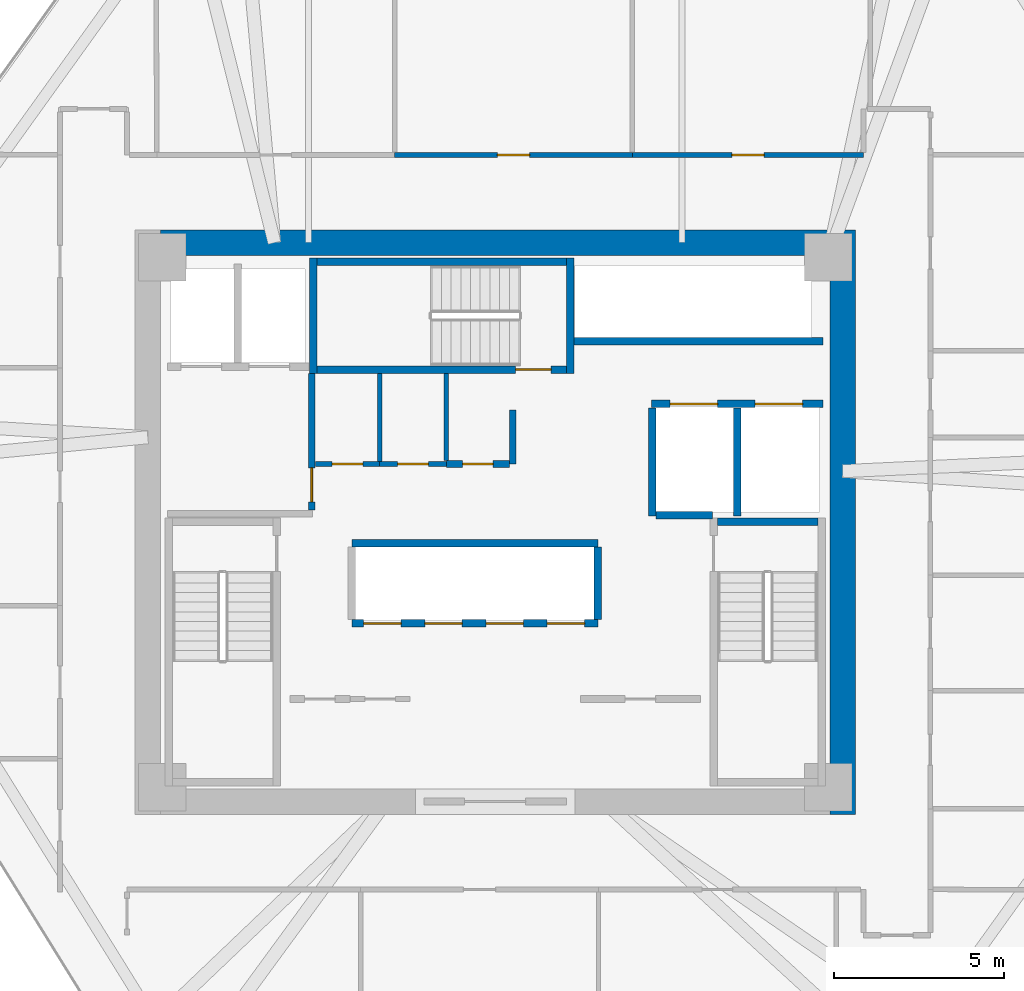
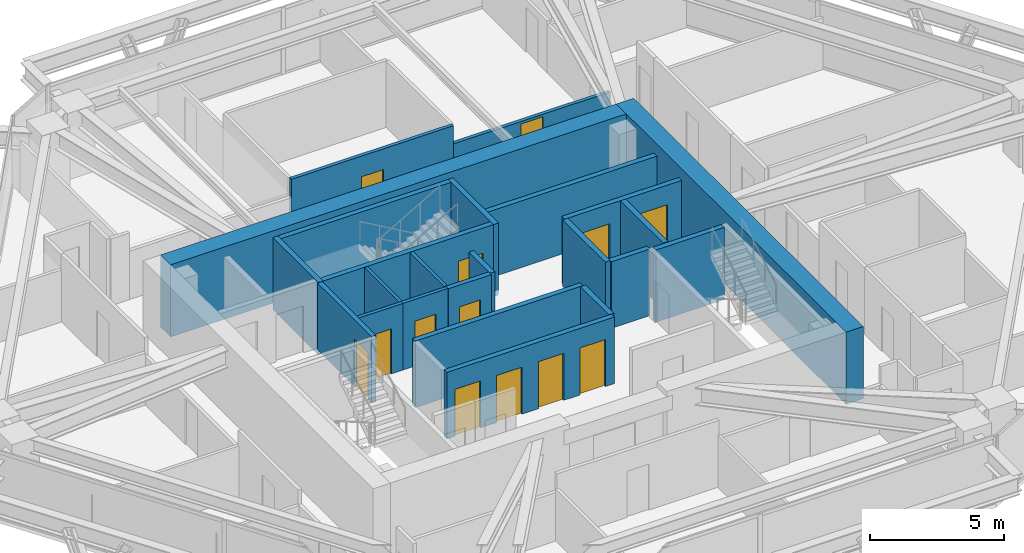
# One storey, part 11 of 14: 24 walls, 13 doors, 13 openings.
"""IFC4 building model written with IfcOpenShell, lengths in metres."""

import ifcopenshell
import ifcopenshell.guid

model = None  # the IFC model being written
_history = None  # IfcOwnerHistory: only IFC2X3 demands one
_inside = {}  # id of a spatial element -> (the spatial element, [elements in it])
_under = {}  # id of a project, library or spatial element -> (it, [spatial elements below it])
_declared = {}  # id of a project -> (the project, [libraries it declares])
_typed = {}  # id of a type object -> (the type object, [elements of that type])
_made_of = {}  # id of a material, layer set ... -> (it, [elements and type objects made of it])


def new_model(schema):
    """Start an empty IFC model of exactly this schema.

    Asked for "IFC4X3", IfcOpenShell would pick the latest addendum, in which some entities
    have other attributes; the version numbers below select the first issue.
    IFC2X3 requires an IfcOwnerHistory on every rooted entity: one is made here for all.
    """
    global model, _history
    if schema == "IFC4X3":
        model = ifcopenshell.file(schema_version=(4, 3, 0, 0))
    else:
        model = ifcopenshell.file(schema=schema)
    _inside.clear()
    _under.clear()
    _declared.clear()
    _typed.clear()
    _made_of.clear()
    _history = None
    if model.schema == "IFC2X3":
        org = make("IfcOrganization", Name="unknown")
        user = make(
            "IfcPersonAndOrganization",
            ThePerson=make("IfcPerson", FamilyName="unknown"),
            TheOrganization=org,
        )
        app = make(
            "IfcApplication",
            ApplicationDeveloper=org,
            Version="unknown",
            ApplicationFullName="unknown",
            ApplicationIdentifier="unknown",
        )
        _history = make(
            "IfcOwnerHistory",
            OwningUser=user,
            OwningApplication=app,
            ChangeAction="ADDED",
            CreationDate=0,
        )
    return model


def make(cls, **values):
    """One entity of the class cls with the attributes given. An attribute that is None is left unset."""
    return model.create_entity(
        cls, **{name: value for name, value in values.items() if value is not None}
    )


def rooted(cls, **values):
    """An entity with a GlobalId (a new one), such as an element, a storey or a relation."""
    return make(cls, GlobalId=ifcopenshell.guid.new(), OwnerHistory=_history, **values)


def si_unit(unit_type, name, prefix=None):
    """IfcSIUnit, for example si_unit("LENGTHUNIT", "METRE", prefix="MILLI")."""
    return make("IfcSIUnit", UnitType=unit_type, Prefix=prefix, Name=name)


def assignment(units):
    """IfcUnitAssignment: the units of a project."""
    return None if units is None else make("IfcUnitAssignment", Units=units)


def point(xyz):
    """IfcCartesianPoint."""
    return None if xyz is None else make("IfcCartesianPoint", Coordinates=xyz)


def direction(xyz):
    """IfcDirection."""
    return None if xyz is None else make("IfcDirection", DirectionRatios=xyz)


def frame(location, z_axis=None, x_axis=None):
    """IfcAxis2Placement3D, a coordinate frame: its origin and axes. An axis left out is left unset."""
    return make(
        "IfcAxis2Placement3D",
        Location=point(location),
        Axis=direction(z_axis),
        RefDirection=direction(x_axis),
    )


def frame_2d(location, x_axis=None):
    """IfcAxis2Placement2D, a coordinate frame in the plane: its origin and x axis."""
    return make(
        "IfcAxis2Placement2D", Location=point(location), RefDirection=direction(x_axis)
    )


def origin():
    """The frame at (0, 0, 0) with its axes left unset."""
    return frame((0.0, 0.0, 0.0))


def place(relative_to, where):
    """IfcLocalPlacement: puts the frame where relative to a parent placement (None: the world)."""
    return make(
        "IfcLocalPlacement", PlacementRelTo=relative_to, RelativePlacement=where
    )


def context(
    kind, dimensions, precision=None, world=None, true_north=None, identifier=None
):
    """IfcGeometricRepresentationContext, for example the 3D "Model" context."""
    return make(
        "IfcGeometricRepresentationContext",
        ContextIdentifier=identifier,
        ContextType=kind,
        CoordinateSpaceDimension=dimensions,
        Precision=precision,
        WorldCoordinateSystem=world,
        TrueNorth=true_north,
    )


def subcontext(parent, identifier, kind, view, scale=None):
    """IfcGeometricRepresentationSubContext, for example "Body" below "Model"."""
    return make(
        "IfcGeometricRepresentationSubContext",
        ContextIdentifier=identifier,
        ContextType=kind,
        ParentContext=parent,
        TargetScale=scale,
        TargetView=view,
    )


def project(units=None, contexts=None):
    """IfcProject with its units and contexts."""
    return rooted(
        "IfcProject",
        Name="project",
        RepresentationContexts=contexts,
        UnitsInContext=assignment(units),
    )


def spatial(cls, under=None, at=None, **own):
    """A site, building, storey or space (cls), placed at a placement, below another one or the project."""
    s = rooted(cls, ObjectPlacement=at, **own)
    if under is not None:
        _under.setdefault(under.id(), (under, []))[1].append(s)
    return s


def profile(cls, at=None, kind="AREA", **sizes):
    """A parametric profile (cls). Its sizes go by their IFC names, for example OverallWidth=200.0."""
    return make(cls, ProfileType=kind, Position=at, **sizes)


def rectangle(**sizes):
    """IfcRectangleProfileDef."""
    return profile("IfcRectangleProfileDef", **sizes)


def extrude(swept, where, along, depth):
    """IfcExtrudedAreaSolid: the profile swept, set in the frame where, extruded along a direction by depth."""
    return make(
        "IfcExtrudedAreaSolid",
        SweptArea=swept,
        Position=where,
        ExtrudedDirection=direction(along),
        Depth=depth,
    )


def shape(context_of_items, identifier, shape_type, items):
    """IfcShapeRepresentation: the items that make up one representation, for example the "Body"."""
    return make(
        "IfcShapeRepresentation",
        ContextOfItems=context_of_items,
        RepresentationIdentifier=identifier,
        RepresentationType=shape_type,
        Items=items,
    )


def source(mapping_origin, context_of_items, identifier, shape_type, items):
    """IfcRepresentationMap: a shape defined once, which mapped items show again and again."""
    return make(
        "IfcRepresentationMap",
        MappingOrigin=mapping_origin,
        MappedRepresentation=shape(context_of_items, identifier, shape_type, items),
    )


def transform(
    local_origin,
    x_axis=None,
    y_axis=None,
    z_axis=None,
    scale=None,
    scale2=None,
    scale3=None,
    uniform=True,
):
    """IfcCartesianTransformationOperator3D, or its non-uniform kind. x_axis, y_axis, z_axis: its Axis1, 2, 3."""
    if uniform:
        return make(
            "IfcCartesianTransformationOperator3D",
            Axis1=direction(x_axis),
            Axis2=direction(y_axis),
            LocalOrigin=point(local_origin),
            Scale=scale,
            Axis3=direction(z_axis),
        )
    return make(
        "IfcCartesianTransformationOperator3DnonUniform",
        Axis1=direction(x_axis),
        Axis2=direction(y_axis),
        LocalOrigin=point(local_origin),
        Scale=scale,
        Axis3=direction(z_axis),
        Scale2=scale2,
        Scale3=scale3,
    )


def mapped(mapping_source, mapping_target):
    """IfcMappedItem: shows the shape of a source again, moved by a transform."""
    return make(
        "IfcMappedItem", MappingSource=mapping_source, MappingTarget=mapping_target
    )


def material(Name=None, Category=None):
    """IfcMaterial."""
    return make("IfcMaterial", Name=Name, Category=Category)


def layer(
    of_material, thickness, ventilated=None, Name=None, Category=None, Priority=None
):
    """IfcMaterialLayer: one layer of a wall or slab, of a material (None: an air gap)."""
    return make(
        "IfcMaterialLayer",
        Material=of_material,
        LayerThickness=thickness,
        IsVentilated=ventilated,
        Name=Name,
        Category=Category,
        Priority=Priority,
    )


def layer_set(layers, Name=None):
    """IfcMaterialLayerSet."""
    return make("IfcMaterialLayerSet", MaterialLayers=layers, LayerSetName=Name)


def made_of(thing, what):
    """Note that an element or type object is made of a material, layer set ...; save() writes the relation."""
    if what is not None:
        _made_of.setdefault(what.id(), (what, []))[1].append(thing)
    return thing


def type_object(cls, material=None, **own):
    """A type object (cls), such as IfcWallType, which elements share."""
    return made_of(rooted(cls, **own), material)


def type_shapes(of_type, sources):
    """Give a type object the sources (RepresentationMaps) that its elements show as mapped items."""
    of_type.RepresentationMaps = sources


def element(
    cls,
    number,
    at=None,
    inside=None,
    cuts=None,
    type_object=None,
    material=None,
    context=None,
    identifier="Body",
    shape_type=None,
    held_by="IfcProductDefinitionShape",
    body=None,
    shapes=None,
    **own,
):
    """One element of the class cls, such as IfcWall. Its Tag is "e" and its number.

    at: its placement. inside: the storey or other place that contains it. cuts: it is an
    opening in that element (IfcRelVoidsElement). A single representation is given by context,
    identifier, shape_type and body (its items); several are given by shapes. held_by: the class
    of the entity that holds the representations. save() writes the other relations.
    """
    e = rooted(cls, Tag="e%d" % number, ObjectPlacement=at, **own)
    if body is not None:
        shapes = [shape(context, identifier, shape_type, body)]
    if shapes is not None:
        e.Representation = make(held_by, Representations=shapes)
    if inside is not None:
        _inside.setdefault(inside.id(), (inside, []))[1].append(e)
    if cuts is not None:
        rooted(
            "IfcRelVoidsElement", RelatingBuildingElement=cuts, RelatedOpeningElement=e
        )
    if type_object is not None:
        _typed.setdefault(type_object.id(), (type_object, []))[1].append(e)
    return made_of(e, material)


def fill(opening, filler):
    """IfcRelFillsElement: the door or window that sits in an opening."""
    return rooted(
        "IfcRelFillsElement",
        RelatingOpeningElement=opening,
        RelatedBuildingElement=filler,
    )


def aggregate(whole, parts):
    """IfcRelAggregates: a whole, such as a stair, and the parts it consists of."""
    return rooted("IfcRelAggregates", RelatingObject=whole, RelatedObjects=parts)


def save(model, path):
    """Write the relations noted so far, then the file.

    IfcRelAggregates (storeys below a building ...), IfcRelContainedInSpatialStructure (elements
    in a storey), IfcRelDefinesByType, IfcRelAssociatesMaterial and IfcRelDeclares: one each for
    every whole, place, type object, material and project.
    """
    for whole, parts in _under.values():
        aggregate(whole, parts)
    for where, things in _inside.values():
        rooted(
            "IfcRelContainedInSpatialStructure",
            RelatedElements=things,
            RelatingStructure=where,
        )
    for kind, things in _typed.values():
        rooted("IfcRelDefinesByType", RelatedObjects=things, RelatingType=kind)
    for what, things in _made_of.values():
        rooted("IfcRelAssociatesMaterial", RelatedObjects=things, RelatingMaterial=what)
    for by, libraries in _declared.values():
        rooted("IfcRelDeclares", RelatingContext=by, RelatedDefinitions=libraries)
    model.write(path)


model = new_model("IFC4")

# Units and contexts
model_context = context("Model", 3, precision=1e-05, world=origin(), true_north=direction((0.0, 1.0)))
body_context = subcontext(model_context, "Body", "Model", "MODEL_VIEW")
ifc_project = project(units=[si_unit("LENGTHUNIT", "METRE"), si_unit("AREAUNIT", "SQUARE_METRE"), si_unit("VOLUMEUNIT", "CUBIC_METRE"), si_unit("PLANEANGLEUNIT", "RADIAN"), si_unit("MASSUNIT", "GRAM", prefix="KILO")], contexts=[model_context])

# Site, building, storey
site_placement = place(None, origin())
site = spatial("IfcSite", under=ifc_project, at=site_placement, CompositionType="ELEMENT")
building_placement = place(site_placement, origin())
building = spatial("IfcBuilding", under=site, at=building_placement, Name="Durnholm Broadcast Tower", CompositionType="ELEMENT")
storey_placement = place(building_placement, frame((0.0, 0.0, 107.39990234375)))
storey = spatial("IfcBuildingStorey", under=building, at=storey_placement, Name="L28", CompositionType="ELEMENT", Elevation=107.39990234375)

# Walls
ifc_material_1 = material(Name="Concrete C70/85", Category="concrete")
ifc_layer_1 = layer(ifc_material_1, 0.75)
ifc_layer_set_1 = layer_set([ifc_layer_1], Name="Concrete C70/85")
wall_type_1 = type_object("IfcWallType", Name="WALL-CW-750", PredefinedType="SHEAR", material=ifc_layer_set_1)
wall_1_placement = place(storey_placement, frame((10.22509765625, -8.60009765625, 0.0), z_axis=(0.0, 0.0, 1.0), x_axis=(0.0, 1.0, 0.0)))
element("IfcWall", 1, at=wall_1_placement, inside=storey, type_object=wall_type_1, Name="L28 central core shear wall CW-EAST", PredefinedType="SHEAR", context=body_context, shape_type="SweptSolid", body=[
    extrude(rectangle(XDim=17.2001953125, YDim=0.75, at=frame_2d((8.60009765625, 0.0))), origin(), (0.0, 0.0, 1.0), 3.300048828125),
])
wall_2_placement = place(storey_placement, frame((-9.85009765625, 8.22509765625, 0.0), z_axis=(0.0, 0.0, 1.0), x_axis=(1.0, 0.0, 0.0)))
element("IfcWall", 2, at=wall_2_placement, inside=storey, type_object=wall_type_1, Name="L28 central core shear wall CW-N", PredefinedType="SHEAR", context=body_context, shape_type="SweptSolid", body=[
    extrude(rectangle(XDim=19.7001953125, YDim=0.75, at=frame_2d((9.85009765625, 0.0))), origin(), (0.0, 0.0, 1.0), 3.300048828125),
])

# Wall, opening, door
ifc_material_2 = material(Name="Fire-Rated Gypsum Shaftwall", Category="concrete")
ifc_layer_2 = layer(ifc_material_2, 0.199951171875)
ifc_layer_set_2 = layer_set([ifc_layer_2], Name="Fire-Rated Gypsum Shaftwall")
wall_type_2 = type_object("IfcWallType", Name="WALL-LOB-200", PredefinedType="SOLIDWALL", material=ifc_layer_set_2)
wall_3_placement = place(storey_placement, frame((-5.39990234375, 0.35400390625, 0.0), z_axis=(0.0, 0.0, 1.0), x_axis=(0.0, 1.0, 0.0)))
wall_3 = element("IfcWall", 3, at=wall_3_placement, inside=storey, type_object=wall_type_2, Name="L28 Fire Service Access Elevator lobby east fire wall", PredefinedType="SOLIDWALL", context=body_context, shape_type="SweptSolid", body=[
    extrude(rectangle(XDim=4.02587890625, YDim=0.199951171875, at=frame_2d((2.012939453125, 0.0))), origin(), (0.0, 0.0, 1.0), 3.045166015625),
])
opening_1_placement = place(wall_3_placement, frame((0.24609375, 0.0, 0.0)))
opening_1 = element("IfcOpeningElement", 4, at=opening_1_placement, cuts=wall_3, Name="Opening DL-60L", PredefinedType="OPENING", context=body_context, shape_type="SweptSolid", body=[
    extrude(rectangle(XDim=1.0, YDim=2.14990234375, at=frame_2d((0.5, 1.074951171875))), frame((0.0, 0.10986328125, 0.0), z_axis=(0.0, -1.0, 0.0), x_axis=(1.0, 0.0, 0.0)), (0.0, 0.0, 1.0), 0.219970703125),
])
ifc_material_3 = material(Name="Fire-Rated Timber/Steel Door", Category="steel")
ifc_layer_3 = layer(ifc_material_3, 0.050048828125)
ifc_layer_set_3 = layer_set([ifc_layer_3], Name="Fire-Rated Timber/Steel Door")
door_type_1 = type_object("IfcDoorType", Name="DOOR-LOB-FD60-L", OperationType="NOTDEFINED", PredefinedType="DOOR", material=ifc_layer_set_3)
shared_shape_1 = source(origin(), body_context, "Body", "SweptSolid", [
    extrude(rectangle(XDim=1.0, YDim=2.14990234375, at=frame_2d((0.5, 1.074951171875))), frame((0.0, 0.02490234375, 0.0), z_axis=(0.0, -1.0, 0.0), x_axis=(1.0, 0.0, 0.0)), (0.0, 0.0, 1.0), 0.050048828125),
])
type_shapes(door_type_1, [shared_shape_1])
door_1_placement = place(opening_1_placement, origin())
door_1 = element("IfcDoor", 5, at=door_1_placement, inside=storey, type_object=door_type_1, Name="L28 Fire Service Access Elevator lobby smoke door", OperationType="SINGLE_SWING_LEFT", OverallHeight=2.14990234375, OverallWidth=1.0, PredefinedType="DOOR", context=body_context, shape_type="MappedRepresentation", body=[
    mapped(shared_shape_1, transform((0.0, 0.0, 0.0), x_axis=(1.0, 0.0, 0.0), y_axis=(0.0, 1.0, 0.0), z_axis=(0.0, 0.0, 1.0), scale=1.0)),
])
fill(opening_1, door_1)

# Wall
wall_4_placement = place(storey_placement, frame((0.52001953125, 3.300048828125, 0.0), z_axis=(0.0, 0.0, 1.0), x_axis=(0.0, -1.0, 0.0)))
element("IfcWall", 6, at=wall_4_placement, inside=storey, type_object=wall_type_2, Name="L28 Core Telecom Patch Room corridor partition", PredefinedType="SOLIDWALL", context=body_context, shape_type="SweptSolid", body=[
    extrude(rectangle(XDim=1.590087890625, YDim=0.199951171875, at=frame_2d((0.794921875, 0.0))), origin(), (0.0, 0.0, 1.0), 3.045166015625),
])

# Wall, opening, door
wall_5_placement = place(storey_placement, frame((0.416015625, 1.7099609375, 0.0), z_axis=(0.0, 0.0, 1.0), x_axis=(-1.0, 0.0, 0.0)))
wall_5 = element("IfcWall", 7, at=wall_5_placement, inside=storey, type_object=wall_type_2, Name="L28 Core Telecom Patch Room corridor partition", PredefinedType="SOLIDWALL", context=body_context, shape_type="SweptSolid", body=[
    extrude(rectangle(XDim=1.85595703125, YDim=0.199951171875, at=frame_2d((0.927978515625, 0.0))), origin(), (0.0, 0.0, 1.0), 3.045166015625),
])
opening_2_placement = place(wall_5_placement, frame((0.47802734375, 0.0, 0.0)))
opening_2 = element("IfcOpeningElement", 8, at=opening_2_placement, cuts=wall_5, Name="Opening DC-60L", PredefinedType="OPENING", context=body_context, shape_type="SweptSolid", body=[
    extrude(rectangle(XDim=0.89990234375, YDim=2.050048828125, at=frame_2d((0.449951171875, 1.02490234375))), frame((0.0, 0.10986328125, 0.0), z_axis=(0.0, -1.0, 0.0), x_axis=(1.0, 0.0, 0.0)), (0.0, 0.0, 1.0), 0.219970703125),
])
ifc_material_4 = material(Name="Fire-Rated Core Service Door", Category="steel")
ifc_layer_4 = layer(ifc_material_4, 0.050048828125)
ifc_layer_set_4 = layer_set([ifc_layer_4], Name="Fire-Rated Core Service Door")
door_type_2 = type_object("IfcDoorType", Name="DOOR-CORE-FD60-L", OperationType="NOTDEFINED", PredefinedType="DOOR", material=ifc_layer_set_4)
shared_shape_2 = source(origin(), body_context, "Body", "SweptSolid", [
    extrude(rectangle(XDim=0.89990234375, YDim=2.050048828125, at=frame_2d((0.449951171875, 1.02490234375))), frame((0.0, 0.02490234375, 0.0), z_axis=(0.0, -1.0, 0.0), x_axis=(1.0, 0.0, 0.0)), (0.0, 0.0, 1.0), 0.050048828125),
])
type_shapes(door_type_2, [shared_shape_2])
door_2_placement = place(opening_2_placement, origin())
door_2 = element("IfcDoor", 9, at=door_2_placement, inside=storey, type_object=door_type_2, Name="L28 Core Telecom Patch Room entrance door", OperationType="SINGLE_SWING_LEFT", OverallHeight=2.050048828125, OverallWidth=0.89990234375, PredefinedType="DOOR", context=body_context, shape_type="MappedRepresentation", body=[
    mapped(shared_shape_2, transform((0.0, 0.0, 0.0), x_axis=(1.0, 0.0, 0.0), y_axis=(0.0, 1.0, 0.0), z_axis=(0.0, 0.0, 1.0), scale=1.0)),
])
fill(opening_2, door_2)

# Walls
ifc_material_5 = material(Name="Gypsum Metal Stud Partition", Category="concrete")
ifc_layer_5 = layer(ifc_material_5, 0.135009765625)
ifc_layer_set_5 = layer_set([ifc_layer_5], Name="Gypsum Metal Stud Partition")
wall_type_3 = type_object("IfcWallType", Name="WALL-PART-135", PredefinedType="PARTITIONING", material=ifc_layer_set_5)
wall_6_placement = place(storey_placement, frame((-3.39990234375, 4.375, 0.0), z_axis=(0.0, 0.0, 1.0), x_axis=(0.0, -1.0, 0.0)))
element("IfcWall", 10, at=wall_6_placement, inside=storey, type_object=wall_type_3, Name="L28 room dividing partition 4.5", PredefinedType="PARTITIONING", context=body_context, shape_type="SweptSolid", body=[
    extrude(rectangle(XDim=2.5859375, YDim=0.135009765625, at=frame_2d((1.29296875, 0.0))), origin(), (0.0, 0.0, 1.0), 3.045166015625),
])
wall_7_placement = place(storey_placement, frame((-1.43994140625, 4.375, 0.0), z_axis=(0.0, 0.0, 1.0), x_axis=(0.0, -1.0, 0.0)))
element("IfcWall", 11, at=wall_7_placement, inside=storey, type_object=wall_type_3, Name="L28 room dividing partition 5.6", PredefinedType="PARTITIONING", context=body_context, shape_type="SweptSolid", body=[
    extrude(rectangle(XDim=2.56103515625, YDim=0.135009765625, at=frame_2d((1.280517578125, 0.0))), origin(), (0.0, 0.0, 1.0), 3.045166015625),
])

# Wall, opening, door
ifc_material_6 = material(Name="Acoustic Gypsum Stud Partition", Category="concrete")
ifc_layer_6 = layer(ifc_material_6, 0.14990234375)
ifc_layer_set_6 = layer_set([ifc_layer_6], Name="Acoustic Gypsum Stud Partition")
wall_type_4 = type_object("IfcWallType", Name="WALL-PART-150", PredefinedType="PARTITIONING", material=ifc_layer_set_6)
wall_8_placement = place(storey_placement, frame((-3.39990234375, 1.7099609375, 0.0), z_axis=(0.0, 0.0, 1.0), x_axis=(-1.0, 0.0, 0.0)))
wall_8 = element("IfcWall", 12, at=wall_8_placement, inside=storey, type_object=wall_type_4, Name="L28 Core Copy and Print Closet corridor partition", PredefinedType="PARTITIONING", context=body_context, shape_type="SweptSolid", body=[
    extrude(rectangle(XDim=1.89599609375, YDim=0.14990234375, at=frame_2d((0.947998046875, 0.0))), origin(), (0.0, 0.0, 1.0), 3.045166015625),
])
opening_3_placement = place(wall_8_placement, frame((0.498046875, 0.0, 0.0)))
opening_3 = element("IfcOpeningElement", 13, at=opening_3_placement, cuts=wall_8, Name="Opening DC-60L", PredefinedType="OPENING", context=body_context, shape_type="SweptSolid", body=[
    extrude(rectangle(XDim=0.89990234375, YDim=2.050048828125, at=frame_2d((0.449951171875, 1.02490234375))), frame((0.0, 0.0849609375, 0.0), z_axis=(0.0, -1.0, 0.0), x_axis=(1.0, 0.0, 0.0)), (0.0, 0.0, 1.0), 0.169921875),
])
door_3_placement = place(opening_3_placement, origin())
door_3 = element("IfcDoor", 14, at=door_3_placement, inside=storey, type_object=door_type_2, Name="L28 Core Copy and Print Closet entrance door", OperationType="SINGLE_SWING_LEFT", OverallHeight=2.050048828125, OverallWidth=0.89990234375, PredefinedType="DOOR", context=body_context, shape_type="MappedRepresentation", body=[
    mapped(shared_shape_2, transform((0.0, 0.0, 0.0), x_axis=(1.0, 0.0, 0.0), y_axis=(0.0, 1.0, 0.0), z_axis=(0.0, 0.0, 1.0), scale=1.0)),
])
fill(opening_3, door_3)

wall_9_placement = place(storey_placement, frame((-1.43994140625, 1.7099609375, 0.0), z_axis=(0.0, 0.0, 1.0), x_axis=(-1.0, 0.0, 0.0)))
wall_9 = element("IfcWall", 15, at=wall_9_placement, inside=storey, type_object=wall_type_4, Name="L28 Core Janitor Supply Closet corridor partition", PredefinedType="PARTITIONING", context=body_context, shape_type="SweptSolid", body=[
    extrude(rectangle(XDim=1.9599609375, YDim=0.14990234375, at=frame_2d((0.97998046875, 0.0))), origin(), (0.0, 0.0, 1.0), 3.045166015625),
])
opening_4_placement = place(wall_9_placement, frame((0.530029296875, 0.0, 0.0)))
opening_4 = element("IfcOpeningElement", 16, at=opening_4_placement, cuts=wall_9, Name="Opening DC-60R", PredefinedType="OPENING", context=body_context, shape_type="SweptSolid", body=[
    extrude(rectangle(XDim=0.89990234375, YDim=2.050048828125, at=frame_2d((0.449951171875, 1.02490234375))), frame((0.0, 0.0849609375, 0.0), z_axis=(0.0, -1.0, 0.0), x_axis=(1.0, 0.0, 0.0)), (0.0, 0.0, 1.0), 0.169921875),
])
ifc_layer_7 = layer(ifc_material_4, 0.050048828125)
ifc_layer_set_7 = layer_set([ifc_layer_7], Name="Fire-Rated Core Service Door")
door_type_3 = type_object("IfcDoorType", Name="DOOR-CORE-FD60-R", OperationType="NOTDEFINED", PredefinedType="DOOR", material=ifc_layer_set_7)
shared_shape_3 = source(origin(), body_context, "Body", "SweptSolid", [
    extrude(rectangle(XDim=0.89990234375, YDim=2.050048828125, at=frame_2d((0.449951171875, 1.02490234375))), frame((0.0, 0.02490234375, 0.0), z_axis=(0.0, -1.0, 0.0), x_axis=(1.0, 0.0, 0.0)), (0.0, 0.0, 1.0), 0.050048828125),
])
type_shapes(door_type_3, [shared_shape_3])
door_4_placement = place(opening_4_placement, origin())
door_4 = element("IfcDoor", 17, at=door_4_placement, inside=storey, type_object=door_type_3, Name="L28 Core Janitor Supply Closet entrance door", OperationType="SINGLE_SWING_RIGHT", OverallHeight=2.050048828125, OverallWidth=0.89990234375, PredefinedType="DOOR", context=body_context, shape_type="MappedRepresentation", body=[
    mapped(shared_shape_3, transform((0.0, 0.0, 0.0), x_axis=(1.0, 0.0, 0.0), y_axis=(0.0, 1.0, 0.0), z_axis=(0.0, 0.0, 1.0), scale=1.0)),
])
fill(opening_4, door_4)

wall_10_placement = place(storey_placement, frame((4.0400390625, 10.81005859375, 0.0), z_axis=(0.0, 0.0, 1.0), x_axis=(-1.0, 0.0, 0.0)))
wall_10 = element("IfcWall", 18, at=wall_10_placement, inside=storey, type_object=wall_type_4, Name="L28 ADR Office corridor partition", PredefinedType="PARTITIONING", context=body_context, shape_type="SweptSolid", body=[
    extrude(rectangle(XDim=7.0, YDim=0.14990234375, at=frame_2d((3.5, 0.0))), origin(), (0.0, 0.0, 1.0), 3.045166015625),
])
opening_5_placement = place(wall_10_placement, frame((3.02490234375, 0.0, 0.0)))
opening_5 = element("IfcOpeningElement", 19, at=opening_5_placement, cuts=wall_10, Name="Opening DR-95L", PredefinedType="OPENING", context=body_context, shape_type="SweptSolid", body=[
    extrude(rectangle(XDim=0.949951171875, YDim=2.10009765625, at=frame_2d((0.47509765625, 1.050048828125))), frame((0.0, 0.0849609375, 0.0), z_axis=(0.0, -1.0, 0.0), x_axis=(1.0, 0.0, 0.0)), (0.0, 0.0, 1.0), 0.169921875),
])
ifc_material_7 = material(Name="Acoustic Oak Veneer Timber Door", Category="wood")
ifc_layer_8 = layer(ifc_material_7, 0.050048828125)
ifc_layer_set_8 = layer_set([ifc_layer_8], Name="Acoustic Oak Veneer Timber Door")
door_type_4 = type_object("IfcDoorType", Name="DOOR-RM-950L", OperationType="NOTDEFINED", PredefinedType="DOOR", material=ifc_layer_set_8)
shared_shape_4 = source(origin(), body_context, "Body", "SweptSolid", [
    extrude(rectangle(XDim=0.949951171875, YDim=2.10009765625, at=frame_2d((0.47509765625, 1.050048828125))), frame((0.0, 0.02490234375, 0.0), z_axis=(0.0, -1.0, 0.0), x_axis=(1.0, 0.0, 0.0)), (0.0, 0.0, 1.0), 0.050048828125),
])
type_shapes(door_type_4, [shared_shape_4])
door_5_placement = place(opening_5_placement, origin())
door_5 = element("IfcDoor", 20, at=door_5_placement, inside=storey, type_object=door_type_4, Name="L28 ADR Office entrance door", OperationType="SINGLE_SWING_LEFT", OverallHeight=2.10009765625, OverallWidth=0.949951171875, PredefinedType="DOOR", context=body_context, shape_type="MappedRepresentation", body=[
    mapped(shared_shape_4, transform((0.0, 0.0, 0.0), x_axis=(1.0, 0.0, 0.0), y_axis=(0.0, 1.0, 0.0), z_axis=(0.0, 0.0, 1.0), scale=1.0)),
])
fill(opening_5, door_5)

wall_11_placement = place(storey_placement, frame((10.840087890625, 10.81005859375, 0.0), z_axis=(0.0, 0.0, 1.0), x_axis=(-1.0, 0.0, 0.0)))
wall_11 = element("IfcWall", 21, at=wall_11_placement, inside=storey, type_object=wall_type_4, Name="L28 Colorist Office corridor partition", PredefinedType="PARTITIONING", context=body_context, shape_type="SweptSolid", body=[
    extrude(rectangle(XDim=6.800048828125, YDim=0.14990234375, at=frame_2d((3.39990234375, 0.0))), origin(), (0.0, 0.0, 1.0), 2.212158203125),
])
opening_6_placement = place(wall_11_placement, frame((2.925048828125, 0.0, 0.0)))
opening_6 = element("IfcOpeningElement", 22, at=opening_6_placement, cuts=wall_11, Name="Opening DR-95R", PredefinedType="OPENING", context=body_context, shape_type="SweptSolid", body=[
    extrude(rectangle(XDim=0.949951171875, YDim=2.10009765625, at=frame_2d((0.47509765625, 1.050048828125))), frame((0.0, 0.0849609375, 0.0), z_axis=(0.0, -1.0, 0.0), x_axis=(1.0, 0.0, 0.0)), (0.0, 0.0, 1.0), 0.169921875),
])
ifc_layer_9 = layer(ifc_material_7, 0.050048828125)
ifc_layer_set_9 = layer_set([ifc_layer_9], Name="Acoustic Oak Veneer Timber Door")
door_type_5 = type_object("IfcDoorType", Name="DOOR-RM-950R", OperationType="NOTDEFINED", PredefinedType="DOOR", material=ifc_layer_set_9)
shared_shape_5 = source(origin(), body_context, "Body", "SweptSolid", [
    extrude(rectangle(XDim=0.949951171875, YDim=2.10009765625, at=frame_2d((0.47509765625, 1.050048828125))), frame((0.0, 0.02490234375, 0.0), z_axis=(0.0, -1.0, 0.0), x_axis=(1.0, 0.0, 0.0)), (0.0, 0.0, 1.0), 0.050048828125),
])
type_shapes(door_type_5, [shared_shape_5])
door_6_placement = place(opening_6_placement, origin())
door_6 = element("IfcDoor", 23, at=door_6_placement, inside=storey, type_object=door_type_5, Name="L28 Colorist Office entrance door", OperationType="SINGLE_SWING_RIGHT", OverallHeight=2.10009765625, OverallWidth=0.949951171875, PredefinedType="DOOR", context=body_context, shape_type="MappedRepresentation", body=[
    mapped(shared_shape_5, transform((0.0, 0.0, 0.0), x_axis=(1.0, 0.0, 0.0), y_axis=(0.0, 1.0, 0.0), z_axis=(0.0, 0.0, 1.0), scale=1.0)),
])
fill(opening_6, door_6)

# Wall, openings, doors
ifc_material_8 = material(Name="Concrete Blockwork C30/37", Category="masonry")
ifc_layer_10 = layer(ifc_material_8, 0.219970703125)
ifc_layer_set_10 = layer_set([ifc_layer_10], Name="Concrete Blockwork C30/37")
wall_type_5 = type_object("IfcWallType", Name="WALL-SHAFT-220", PredefinedType="SOLIDWALL", material=ifc_layer_set_10)
wall_12_placement = place(storey_placement, frame((4.60009765625, 3.47998046875, 0.0), z_axis=(0.0, 0.0, 1.0), x_axis=(1.0, 0.0, 0.0)))
wall_12 = element("IfcWall", 24, at=wall_12_placement, inside=storey, type_object=wall_type_5, Name="L28 freight service lifts north front wall", PredefinedType="SOLIDWALL", context=body_context, shape_type="SweptSolid", body=[
    extrude(rectangle(XDim=5.0498046875, YDim=0.219970703125, at=frame_2d((2.52490234375, 0.0))), origin(), (0.0, 0.0, 1.0), 3.045166015625),
])
opening_7_placement = place(wall_12_placement, frame((0.550048828125, 0.0, 0.0)))
opening_7 = element("IfcOpeningElement", 25, at=opening_7_placement, cuts=wall_12, Name="Opening LD-SVL-2", PredefinedType="OPENING", context=body_context, shape_type="SweptSolid", body=[
    extrude(rectangle(XDim=1.39990234375, YDim=2.14990234375, at=frame_2d((0.699951171875, 1.074951171875))), frame((0.0, 0.1201171875, 0.0), z_axis=(0.0, -1.0, 0.0), x_axis=(1.0, 0.0, 0.0)), (0.0, 0.0, 1.0), 0.239990234375),
])
opening_8_placement = place(wall_12_placement, frame((3.050048828125, 0.0, 0.0)))
opening_8 = element("IfcOpeningElement", 26, at=opening_8_placement, cuts=wall_12, Name="Opening LD-SVL-1", PredefinedType="OPENING", context=body_context, shape_type="SweptSolid", body=[
    extrude(rectangle(XDim=1.39990234375, YDim=2.14990234375, at=frame_2d((0.699951171875, 1.074951171875))), frame((0.0, 0.1201171875, 0.0), z_axis=(0.0, -1.0, 0.0), x_axis=(1.0, 0.0, 0.0)), (0.0, 0.0, 1.0), 0.239990234375),
])
ifc_material_9 = material(Name="Freight Elevator Bi-Parting Sliding Landing Door", Category="steel")
ifc_layer_11 = layer(ifc_material_9, 0.050048828125)
ifc_layer_set_11 = layer_set([ifc_layer_11], Name="Freight Elevator Bi-Parting Sliding Landing Door")
door_type_6 = type_object("IfcDoorType", Name="DOOR-LIFT-SVL", OperationType="DOUBLE_DOOR_SLIDING", PredefinedType="DOOR", material=ifc_layer_set_11)
shared_shape_6 = source(origin(), body_context, "Body", "SweptSolid", [
    extrude(rectangle(XDim=1.39990234375, YDim=2.14990234375, at=frame_2d((0.699951171875, 1.074951171875))), frame((0.0, 0.02490234375, 0.0), z_axis=(0.0, -1.0, 0.0), x_axis=(1.0, 0.0, 0.0)), (0.0, 0.0, 1.0), 0.050048828125),
])
type_shapes(door_type_6, [shared_shape_6])
door_7_placement = place(opening_7_placement, origin())
door_7 = element("IfcDoor", 27, at=door_7_placement, inside=storey, type_object=door_type_6, Name="L28 freight service elevator SVL-2 sliding landing door", OperationType="DOUBLE_DOOR_SLIDING", OverallHeight=2.14990234375, OverallWidth=1.39990234375, PredefinedType="DOOR", context=body_context, shape_type="MappedRepresentation", body=[
    mapped(shared_shape_6, transform((0.0, 0.0, 0.0), x_axis=(1.0, 0.0, 0.0), y_axis=(0.0, 1.0, 0.0), z_axis=(0.0, 0.0, 1.0), scale=1.0)),
])
fill(opening_7, door_7)
door_8_placement = place(opening_8_placement, origin())
door_8 = element("IfcDoor", 28, at=door_8_placement, inside=storey, type_object=door_type_6, Name="L28 freight service elevator SVL-1 sliding landing door", OperationType="DOUBLE_DOOR_SLIDING", OverallHeight=2.14990234375, OverallWidth=1.39990234375, PredefinedType="DOOR", context=body_context, shape_type="MappedRepresentation", body=[
    mapped(shared_shape_6, transform((0.0, 0.0, 0.0), x_axis=(1.0, 0.0, 0.0), y_axis=(0.0, 1.0, 0.0), z_axis=(0.0, 0.0, 1.0), scale=1.0)),
])
fill(opening_8, door_8)

# Walls
for number, where, z_axis, x_axis, name in (
    (29, (4.6201171875, 0.179931640625, 0.0), (0.0, 0.0, 1.0), (0.0, 1.0, 0.0), "L28 freight service lift SVL-2 west wall"),
    (30, (7.1201171875, 0.179931640625, 0.0), (0.0, 0.0, 1.0), (0.0, 1.0, 0.0), "L28 freight service lifts divider wall"),
):
    element("IfcWall", number, at=place(storey_placement, frame(where, z_axis=z_axis, x_axis=x_axis)), inside=storey, type_object=wall_type_5, Name=name, PredefinedType="SOLIDWALL", context=body_context, shape_type="SweptSolid", body=[
        extrude(rectangle(XDim=3.18603515625, YDim=0.219970703125, at=frame_2d((1.593017578125, 0.0))), origin(), (0.0, 0.0, 1.0), 3.045166015625),
    ])
wall_13_placement = place(storey_placement, frame((4.73388671875, 0.199951171875, 0.0), z_axis=(0.0, 0.0, 1.0), x_axis=(1.0, 0.0, 0.0)))
element("IfcWall", 31, at=wall_13_placement, inside=storey, type_object=wall_type_5, Name="L28 freight service lift SVL-2 south wall", PredefinedType="SOLIDWALL", context=body_context, shape_type="SweptSolid", body=[
    extrude(rectangle(XDim=1.666015625, YDim=0.219970703125, at=frame_2d((0.8330078125, 0.0))), origin(), (0.0, 0.0, 1.0), 3.045166015625),
])

# Wall, openings, doors
wall_14_placement = place(storey_placement, frame((-4.219970703125, -2.97998046875, 0.0), z_axis=(0.0, 0.0, 1.0), x_axis=(1.0, 0.0, 0.0)))
wall_14 = element("IfcWall", 32, at=wall_14_placement, inside=storey, type_object=wall_type_5, Name="L28 mid-rise bank P2 south front wall", PredefinedType="SOLIDWALL", context=body_context, shape_type="SweptSolid", body=[
    extrude(rectangle(XDim=7.239990234375, YDim=0.219970703125, at=frame_2d((3.6201171875, 0.0))), origin(), (0.0, 0.0, 1.0), 3.045166015625),
])
opening_9_placement = place(wall_14_placement, frame((0.35009765625, 0.0, 0.0)))
opening_9 = element("IfcOpeningElement", 33, at=opening_9_placement, cuts=wall_14, Name="Opening LD-LP2-1", PredefinedType="OPENING", context=body_context, shape_type="SweptSolid", body=[
    extrude(rectangle(XDim=1.10009765625, YDim=2.14990234375, at=frame_2d((0.550048828125, 1.074951171875))), frame((0.0, 0.1201171875, 0.0), z_axis=(0.0, -1.0, 0.0), x_axis=(1.0, 0.0, 0.0)), (0.0, 0.0, 1.0), 0.239990234375),
])
opening_10_placement = place(wall_14_placement, frame((2.14990234375, 0.0, 0.0)))
opening_10 = element("IfcOpeningElement", 34, at=opening_10_placement, cuts=wall_14, Name="Opening LD-LP2-2", PredefinedType="OPENING", context=body_context, shape_type="SweptSolid", body=[
    extrude(rectangle(XDim=1.10009765625, YDim=2.14990234375, at=frame_2d((0.550048828125, 1.074951171875))), frame((0.0, 0.1201171875, 0.0), z_axis=(0.0, -1.0, 0.0), x_axis=(1.0, 0.0, 0.0)), (0.0, 0.0, 1.0), 0.239990234375),
])
opening_11_placement = place(wall_14_placement, frame((3.949951171875, 0.0, 0.0)))
opening_11 = element("IfcOpeningElement", 35, at=opening_11_placement, cuts=wall_14, Name="Opening LD-LP2-3", PredefinedType="OPENING", context=body_context, shape_type="SweptSolid", body=[
    extrude(rectangle(XDim=1.10009765625, YDim=2.14990234375, at=frame_2d((0.550048828125, 1.074951171875))), frame((0.0, 0.1201171875, 0.0), z_axis=(0.0, -1.0, 0.0), x_axis=(1.0, 0.0, 0.0)), (0.0, 0.0, 1.0), 0.239990234375),
])
opening_12_placement = place(wall_14_placement, frame((5.75, 0.0, 0.0)))
opening_12 = element("IfcOpeningElement", 36, at=opening_12_placement, cuts=wall_14, Name="Opening LD-LP2-4", PredefinedType="OPENING", context=body_context, shape_type="SweptSolid", body=[
    extrude(rectangle(XDim=1.10009765625, YDim=2.14990234375, at=frame_2d((0.550048828125, 1.074951171875))), frame((0.0, 0.1201171875, 0.0), z_axis=(0.0, -1.0, 0.0), x_axis=(1.0, 0.0, 0.0)), (0.0, 0.0, 1.0), 0.239990234375),
])
ifc_material_10 = material(Name="Stainless Steel Sliding Elevator Landing Door", Category="steel")
ifc_layer_12 = layer(ifc_material_10, 0.050048828125)
ifc_layer_set_12 = layer_set([ifc_layer_12], Name="Stainless Steel Sliding Elevator Landing Door")
door_type_7 = type_object("IfcDoorType", Name="DOOR-LIFT-PAX", OperationType="DOUBLE_DOOR_SLIDING", PredefinedType="DOOR", material=ifc_layer_set_12)
shared_shape_7 = source(origin(), body_context, "Body", "SweptSolid", [
    extrude(rectangle(XDim=1.10009765625, YDim=2.14990234375, at=frame_2d((0.550048828125, 1.074951171875))), frame((0.0, 0.02490234375, 0.0), z_axis=(0.0, -1.0, 0.0), x_axis=(1.0, 0.0, 0.0)), (0.0, 0.0, 1.0), 0.050048828125),
])
type_shapes(door_type_7, [shared_shape_7])
door_9_placement = place(opening_9_placement, origin())
door_9 = element("IfcDoor", 37, at=door_9_placement, inside=storey, type_object=door_type_7, Name="L28 passenger elevator LP2-1 sliding landing door", OperationType="DOUBLE_DOOR_SLIDING", OverallHeight=2.14990234375, OverallWidth=1.10009765625, PredefinedType="DOOR", context=body_context, shape_type="MappedRepresentation", body=[
    mapped(shared_shape_7, transform((0.0, 0.0, 0.0), x_axis=(1.0, 0.0, 0.0), y_axis=(0.0, 1.0, 0.0), z_axis=(0.0, 0.0, 1.0), scale=1.0)),
])
fill(opening_9, door_9)
door_10_placement = place(opening_10_placement, origin())
door_10 = element("IfcDoor", 38, at=door_10_placement, inside=storey, type_object=door_type_7, Name="L28 passenger elevator LP2-2 sliding landing door", OperationType="DOUBLE_DOOR_SLIDING", OverallHeight=2.14990234375, OverallWidth=1.10009765625, PredefinedType="DOOR", context=body_context, shape_type="MappedRepresentation", body=[
    mapped(shared_shape_7, transform((0.0, 0.0, 0.0), x_axis=(1.0, 0.0, 0.0), y_axis=(0.0, 1.0, 0.0), z_axis=(0.0, 0.0, 1.0), scale=1.0)),
])
fill(opening_10, door_10)
door_11_placement = place(opening_11_placement, origin())
door_11 = element("IfcDoor", 39, at=door_11_placement, inside=storey, type_object=door_type_7, Name="L28 passenger elevator LP2-3 sliding landing door", OperationType="DOUBLE_DOOR_SLIDING", OverallHeight=2.14990234375, OverallWidth=1.10009765625, PredefinedType="DOOR", context=body_context, shape_type="MappedRepresentation", body=[
    mapped(shared_shape_7, transform((0.0, 0.0, 0.0), x_axis=(1.0, 0.0, 0.0), y_axis=(0.0, 1.0, 0.0), z_axis=(0.0, 0.0, 1.0), scale=1.0)),
])
fill(opening_11, door_11)
door_12_placement = place(opening_12_placement, origin())
door_12 = element("IfcDoor", 40, at=door_12_placement, inside=storey, type_object=door_type_7, Name="L28 passenger elevator LP2-4 sliding landing door", OperationType="DOUBLE_DOOR_SLIDING", OverallHeight=2.14990234375, OverallWidth=1.10009765625, PredefinedType="DOOR", context=body_context, shape_type="MappedRepresentation", body=[
    mapped(shared_shape_7, transform((0.0, 0.0, 0.0), x_axis=(1.0, 0.0, 0.0), y_axis=(0.0, 1.0, 0.0), z_axis=(0.0, 0.0, 1.0), scale=1.0)),
])
fill(opening_12, door_12)

# Walls
wall_15_placement = place(storey_placement, frame((-4.219970703125, -0.6201171875, 0.0), z_axis=(0.0, 0.0, 1.0), x_axis=(1.0, 0.0, 0.0)))
element("IfcWall", 41, at=wall_15_placement, inside=storey, type_object=wall_type_5, Name="L28 mid-rise bank P2 north shaft wall", PredefinedType="SOLIDWALL", context=body_context, shape_type="SweptSolid", body=[
    extrude(rectangle(XDim=7.239990234375, YDim=0.219970703125, at=frame_2d((3.6201171875, 0.0))), origin(), (0.0, 0.0, 1.0), 3.045166015625),
])
wall_16_placement = place(storey_placement, frame((3.02001953125, -2.865966796875, 0.0), z_axis=(0.0, 0.0, 1.0), x_axis=(0.0, 1.0, 0.0)))
element("IfcWall", 42, at=wall_16_placement, inside=storey, type_object=wall_type_5, Name="L28 mid-rise bank P2 east shaft wall", PredefinedType="SOLIDWALL", context=body_context, shape_type="SweptSolid", body=[
    extrude(rectangle(XDim=2.132080078125, YDim=0.219970703125, at=frame_2d((1.06591796875, 0.0))), origin(), (0.0, 0.0, 1.0), 3.045166015625),
])
wall_17_placement = place(storey_placement, frame((2.324951171875, 5.320068359375, 0.0), z_axis=(0.0, 0.0, 1.0), x_axis=(1.0, 0.0, 0.0)))
element("IfcWall", 43, at=wall_17_placement, inside=storey, type_object=wall_type_5, Name="L28 high-rise bank P3 south front wall", PredefinedType="SOLIDWALL", context=body_context, shape_type="SweptSolid", body=[
    extrude(rectangle(XDim=7.324951171875, YDim=0.219970703125, at=frame_2d((3.66259765625, 0.0))), origin(), (0.0, 0.0, 1.0), 3.045166015625),
])
ifc_material_11 = material(Name="Concrete C50/60", Category="concrete")
ifc_layer_13 = layer(ifc_material_11, 0.219970703125)
ifc_layer_set_13 = layer_set([ifc_layer_13], Name="Concrete C50/60")
wall_type_6 = type_object("IfcWallType", Name="WALL-SW-220", PredefinedType="SHEAR", material=ifc_layer_set_13)
wall_18_placement = place(storey_placement, frame((9.5, 0.010009765625, -0.239990234375), z_axis=(0.0, 0.0, 1.0), x_axis=(-1.0, 0.0, 0.0)))
element("IfcWall", 44, at=wall_18_placement, inside=storey, type_object=wall_type_6, Name="L28 stair ST-2 structural shaft wall N", PredefinedType="SHEAR", context=body_context, shape_type="SweptSolid", body=[
    extrude(rectangle(XDim=2.9599609375, YDim=0.219970703125, at=frame_2d((1.47998046875, 0.0))), origin(), (0.0, 0.0, 1.0), 3.300048828125),
])
for number, where, z_axis, x_axis, name in (
    (45, (2.2099609375, 4.3798828125, -0.239990234375), (0.0, 0.0, 1.0), (0.0, 1.0, 0.0), "L28 stair ST-3 structural shaft wall E"),
    (46, (-5.360107421875, 7.780029296875, -0.239990234375), (0.0, 0.0, 1.0), (0.0, -1.0, 0.0), "L28 stair ST-3 structural shaft wall W"),
):
    element("IfcWall", number, at=place(storey_placement, frame(where, z_axis=z_axis, x_axis=x_axis)), inside=storey, type_object=wall_type_6, Name=name, PredefinedType="SHEAR", context=body_context, shape_type="SweptSolid", body=[
        extrude(rectangle(XDim=3.400146484375, YDim=0.219970703125, at=frame_2d((1.7001953125, 0.0))), origin(), (0.0, 0.0, 1.0), 3.300048828125),
    ])

# Wall, opening, door
wall_19_placement = place(storey_placement, frame((-5.25, 4.489990234375, -0.239990234375), z_axis=(0.0, 0.0, 1.0), x_axis=(1.0, 0.0, 0.0)))
wall_19 = element("IfcWall", 47, at=wall_19_placement, inside=storey, type_object=wall_type_6, Name="L28 stair ST-3 structural shaft wall S", PredefinedType="SHEAR", context=body_context, shape_type="SweptSolid", body=[
    extrude(rectangle(XDim=7.35009765625, YDim=0.219970703125, at=frame_2d((3.675048828125, 0.0))), origin(), (0.0, 0.0, 1.0), 3.300048828125),
])
opening_13_placement = place(wall_19_placement, frame((5.85009765625, 0.0, 0.0)))
opening_13 = element("IfcOpeningElement", 48, at=opening_13_placement, cuts=wall_19, Name="Opening DS-90L", PredefinedType="OPENING", context=body_context, shape_type="SweptSolid", body=[
    extrude(rectangle(XDim=1.050048828125, YDim=2.14990234375, at=frame_2d((0.52490234375, 1.074951171875))), frame((0.0, 0.1201171875, 0.0), z_axis=(0.0, -1.0, 0.0), x_axis=(1.0, 0.0, 0.0)), (0.0, 0.0, 1.0), 0.239990234375),
])
ifc_material_12 = material(Name="Fire-Rated Steel Door", Category="steel")
ifc_layer_14 = layer(ifc_material_12, 0.050048828125)
ifc_layer_set_14 = layer_set([ifc_layer_14], Name="Fire-Rated Steel Door")
door_type_8 = type_object("IfcDoorType", Name="DOOR-ST-FD90-L", OperationType="NOTDEFINED", PredefinedType="DOOR", material=ifc_layer_set_14)
shared_shape_8 = source(origin(), body_context, "Body", "SweptSolid", [
    extrude(rectangle(XDim=1.050048828125, YDim=2.14990234375, at=frame_2d((0.52490234375, 1.074951171875))), frame((0.0, 0.02490234375, 0.0), z_axis=(0.0, -1.0, 0.0), x_axis=(1.0, 0.0, 0.0)), (0.0, 0.0, 1.0), 0.050048828125),
])
type_shapes(door_type_8, [shared_shape_8])
door_13_placement = place(opening_13_placement, origin())
door_13 = element("IfcDoor", 49, at=door_13_placement, inside=storey, type_object=door_type_8, Name="L28 exit stair ST-3 fire door", OperationType="SINGLE_SWING_LEFT", OverallHeight=2.14990234375, OverallWidth=1.050048828125, PredefinedType="DOOR", context=body_context, shape_type="MappedRepresentation", body=[
    mapped(shared_shape_8, transform((0.0, 0.0, 0.0), x_axis=(1.0, 0.0, 0.0), y_axis=(0.0, 1.0, 0.0), z_axis=(0.0, 0.0, 1.0), scale=1.0)),
])
fill(opening_13, door_13)

# Wall
wall_20_placement = place(storey_placement, frame((2.10009765625, 7.669921875, -0.239990234375), z_axis=(0.0, 0.0, 1.0), x_axis=(-1.0, 0.0, 0.0)))
element("IfcWall", 50, at=wall_20_placement, inside=storey, type_object=wall_type_6, Name="L28 stair ST-3 structural shaft wall N", PredefinedType="SHEAR", context=body_context, shape_type="SweptSolid", body=[
    extrude(rectangle(XDim=7.35009765625, YDim=0.219970703125, at=frame_2d((3.675048828125, 0.0))), origin(), (0.0, 0.0, 1.0), 3.300048828125),
])

save(model, "model.ifc")
